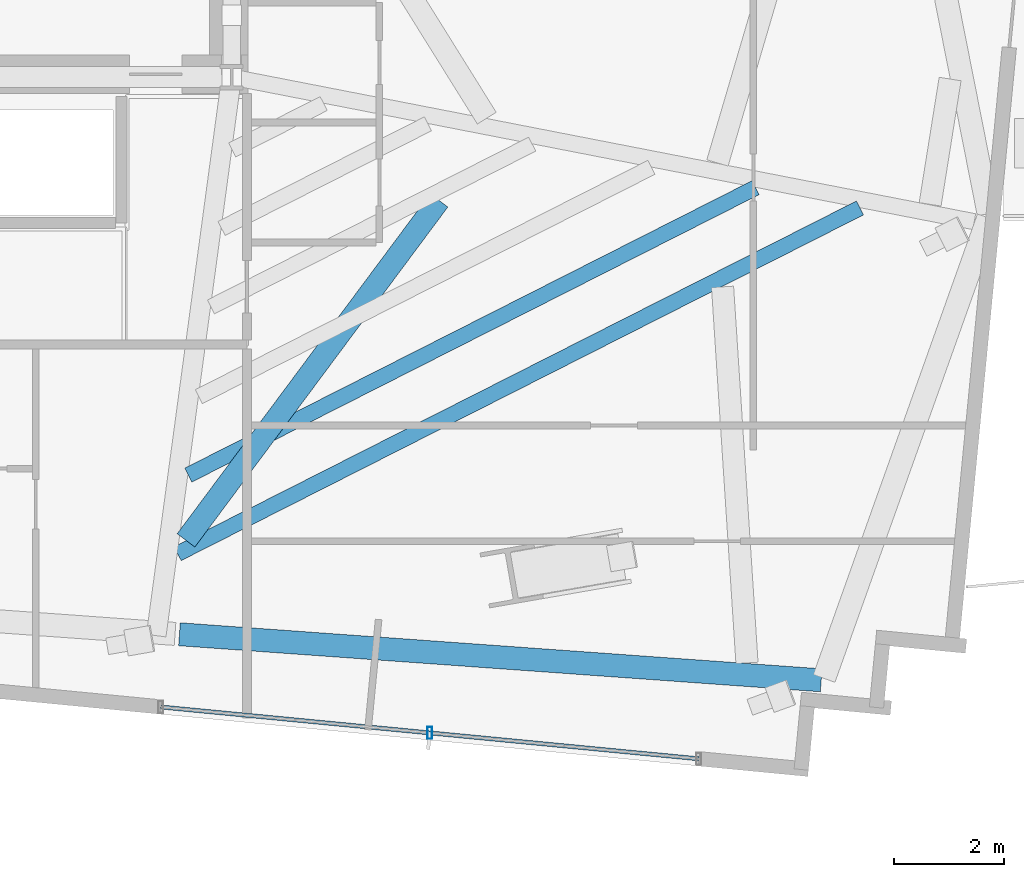
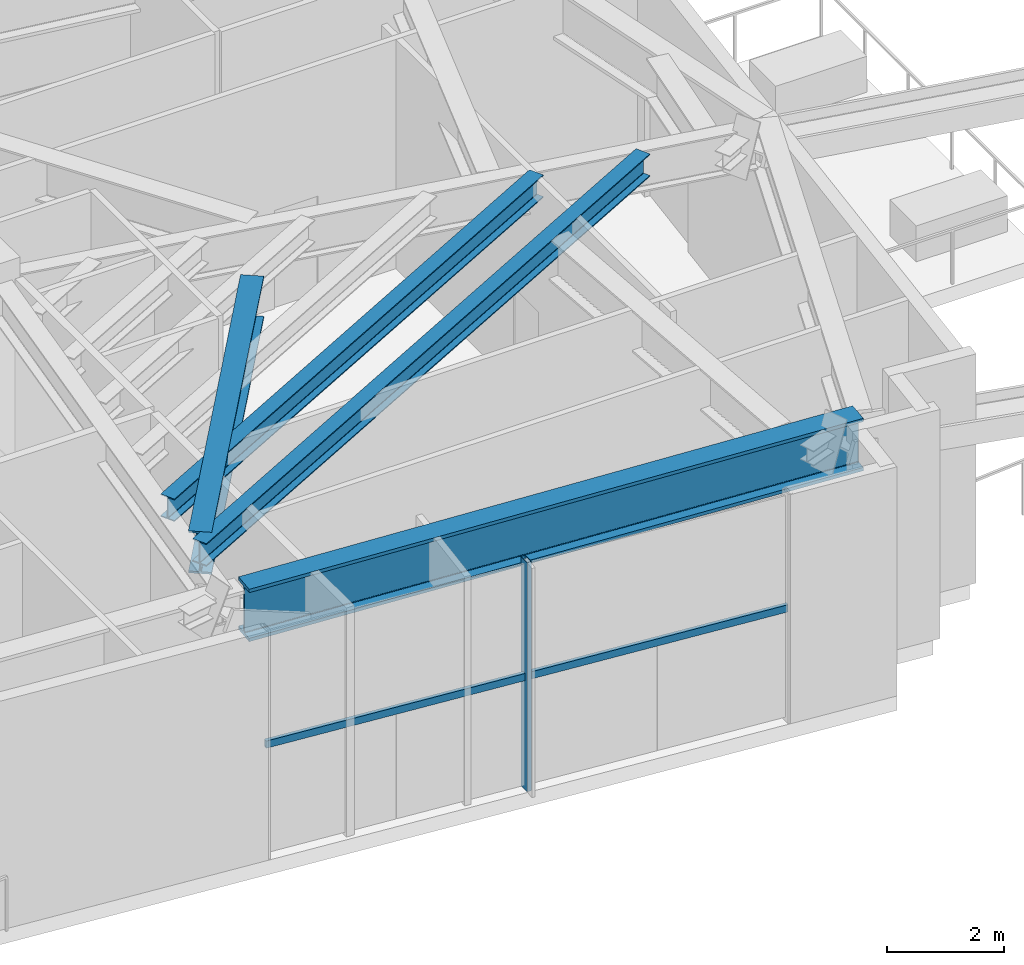
# One storey, part 10 of 23: 4 beams, 3 members, 1 element without a shape of its own.
"""IFC4 building model written with IfcOpenShell, lengths in metres."""

from ifc_helpers import new_model, si_unit, direction, frame, origin, origin_2d, place, context, subcontext, project, spatial, hollow_rectangle, i_section, extrude, source, transform, mapped, material, material_profile, profile_set, type_object, type_shapes, element, aggregate, save


model = new_model("IFC4")

# Units and contexts
model_context = context("Model", 3, precision=1e-05, world=origin(), true_north=direction((0.0, 1.0)))
body_context = subcontext(model_context, "Body", "Model", "MODEL_VIEW")
ifc_project = project(units=[si_unit("LENGTHUNIT", "METRE"), si_unit("AREAUNIT", "SQUARE_METRE"), si_unit("VOLUMEUNIT", "CUBIC_METRE"), si_unit("PLANEANGLEUNIT", "RADIAN"), si_unit("MASSUNIT", "GRAM", prefix="KILO")], contexts=[model_context])

# Site, building, storey
site_placement = place(None, origin())
site = spatial("IfcSite", under=ifc_project, at=site_placement, CompositionType="ELEMENT")
building_placement = place(site_placement, origin())
building = spatial("IfcBuilding", under=site, at=building_placement, Name="Astriad Promenade Condominiums", CompositionType="ELEMENT")
storey_placement = place(building_placement, frame((0.0, 0.0, 119.39990234375)))
storey = spatial("IfcBuildingStorey", under=building, at=storey_placement, Name="L34", CompositionType="ELEMENT", Elevation=119.39990234375)

# Beams
ifc_material_1 = material(Name="Steel ASTM A992 Grade 50", Category="steel")
ifc_material_profile_1 = material_profile(ifc_material_1, i_section(OverallWidth=0.4169921875, OverallDepth=1.093505859375, WebThickness=0.0390625, FlangeThickness=0.070068359375, FilletRadius=0.025390625, at=origin_2d()), Name="W40X503")
ifc_profile_set_1 = profile_set([ifc_material_profile_1], Name="Steel ASTM A992 Grade 50")
beam_type_1 = type_object("IfcBeamType", Name="STEEL TRANSFER GIRDER W40X503", PredefinedType="BEAM", material=ifc_profile_set_1)
shared_shape_1 = source(origin(), body_context, "Body", "SweptSolid", [
    extrude(i_section(OverallWidth=0.4169921875, OverallDepth=1.093505859375, WebThickness=0.0390625, FlangeThickness=0.070068359375, FilletRadius=0.025390625, at=origin_2d()), origin(), (0.0, 0.0, 1.0), 11.66748046875),
])
type_shapes(beam_type_1, [shared_shape_1])
beam_1_placement = place(storey_placement, frame((44.654296875, 7.2958984375, 4.2333984375), z_axis=(0.997434531101, -0.071584608448, 0.0), x_axis=(0.071584608448, 0.997434531101, 0.0)))
element("IfcBeam", 1, at=beam_1_placement, inside=storey, type_object=beam_type_1, Name="Perimeter Spandrel Beam SP-S4-L34", PredefinedType="BEAM", context=body_context, shape_type="MappedRepresentation", body=[
    mapped(shared_shape_1, transform((0.0, 0.0, 0.0), scale=1.0)),
])
ifc_material_profile_2 = material_profile(ifc_material_1, i_section(OverallWidth=0.283203125, OverallDepth=0.47216796875, WebThickness=0.013671875, FlangeThickness=0.022216796875, FilletRadius=0.01513671875, at=origin_2d()), Name="W18X97")
ifc_profile_set_2 = profile_set([ifc_material_profile_2], Name="Steel ASTM A992 Grade 50")
beam_type_2 = type_object("IfcBeamType", Name="STEEL FLOOR JOIST W18X97", PredefinedType="JOIST", material=ifc_profile_set_2)
shared_shape_2 = source(origin(), body_context, "Body", "SweptSolid", [
    extrude(i_section(OverallWidth=0.283203125, OverallDepth=0.47216796875, WebThickness=0.013671875, FlangeThickness=0.022216796875, FilletRadius=0.01513671875, at=origin_2d()), origin(), (0.0, 0.0, 1.0), 13.869140625),
])
beam_2_placement = place(storey_placement, frame((44.6220703125, 8.757568359375, 4.5439453125), z_axis=(0.892038141694, 0.451960124085, 0.0), x_axis=(-0.451960124085, 0.892038141694, 0.0)))
element("IfcBeam", 2, at=beam_2_placement, inside=storey, type_object=beam_type_2, Name="Secondary Composite Floor Joist JE1-1-L34", PredefinedType="JOIST", context=body_context, shape_type="MappedRepresentation", body=[
    mapped(shared_shape_2, transform((0.0, 0.0, 0.0), scale=1.0)),
])
shared_shape_3 = source(origin(), body_context, "Body", "SweptSolid", [
    extrude(i_section(OverallWidth=0.283203125, OverallDepth=0.47216796875, WebThickness=0.013671875, FlangeThickness=0.022216796875, FilletRadius=0.01513671875, at=origin_2d()), origin(), (0.0, 0.0, 1.0), 11.5341796875),
])
type_shapes(beam_type_2, [shared_shape_2, shared_shape_3])
beam_3_placement = place(storey_placement, frame((44.814208984375, 10.18115234375, 4.5439453125), z_axis=(0.89203111085, 0.451974000664, 0.0), x_axis=(-0.451974000664, 0.89203111085, 0.0)))
element("IfcBeam", 3, at=beam_3_placement, inside=storey, type_object=beam_type_2, Name="Secondary Composite Floor Joist JE1-2-L34", PredefinedType="JOIST", context=body_context, shape_type="MappedRepresentation", body=[
    mapped(shared_shape_3, transform((0.0, 0.0, 0.0), scale=1.0)),
])
ifc_material_profile_3 = material_profile(ifc_material_1, i_section(OverallWidth=0.4013671875, OverallDepth=0.877197265625, WebThickness=0.022216796875, FlangeThickness=0.039794921875, FilletRadius=0.02294921875, at=origin_2d()), Name="W33X263")
ifc_profile_set_3 = profile_set([ifc_material_profile_3], Name="Steel ASTM A992 Grade 50")
beam_type_3 = type_object("IfcBeamType", Name="STEEL TRANSFER CARRIER GIRDER W33X263", PredefinedType="BEAM", material=ifc_profile_set_3)
shared_shape_4 = source(origin(), body_context, "Body", "SweptSolid", [
    extrude(i_section(OverallWidth=0.4013671875, OverallDepth=0.877197265625, WebThickness=0.022216796875, FlangeThickness=0.039794921875, FilletRadius=0.02294921875, at=origin_2d()), origin(), (0.0, 0.0, 1.0), 7.6845703125),
])
type_shapes(beam_type_3, [shared_shape_4])
beam_4_placement = place(storey_placement, frame((49.361083984375, 15.1630859375, 4.341552734375), z_axis=(-0.596966070861, -0.802266483309, 0.0), x_axis=(0.802266483309, -0.596966070861, 0.0)))
element("IfcBeam", 4, at=beam_4_placement, inside=storey, type_object=beam_type_3, Name="Transfer Splice Carrier TRM-SP-PC04-L34", PredefinedType="BEAM", context=body_context, shape_type="MappedRepresentation", body=[
    mapped(shared_shape_4, transform((0.0, 0.0, 0.0), scale=1.0)),
])

# Curtain wall, members
ifc_material_2 = material(Name="Anodised aluminium Black Dark Glass Unitised", Category="aluminium")
curtain_wall_type = type_object("IfcCurtainWallType", Name="CW-B34-DARK", PredefinedType="USERDEFINED", material=ifc_material_2)
curtain_wall_placement = place(storey_placement, origin())
curtain_wall = element("IfcCurtainWall", 5, at=curtain_wall_placement, inside=storey, type_object=curtain_wall_type, Name="CW-L34-S-1", ObjectType="UNITISED_CURTAIN_WALL", PredefinedType="USERDEFINED")
ifc_material_3 = material(Name="Anodised aluminium 6063-T6 Black", Category="aluminium")
ifc_material_profile_4 = material_profile(ifc_material_3, hollow_rectangle(XDim=0.074951171875, YDim=0.14990234375, WallThickness=0.004150390625, at=origin_2d()), Name="ALU-TRN-75X150")
ifc_profile_set_4 = profile_set([ifc_material_profile_4], Name="Anodised aluminium 6063-T6 Black")
member_type_1 = type_object("IfcMemberType", Name="TRN-ALU-TRN-75X150", PredefinedType="USERDEFINED", material=ifc_profile_set_4)
shared_shape_5 = source(origin(), body_context, "Body", "SweptSolid", [
    extrude(hollow_rectangle(XDim=0.074951171875, YDim=0.14990234375, WallThickness=0.004150390625, at=origin_2d()), origin(), (0.0, 0.0, 1.0), 4.89990234375),
])
type_shapes(member_type_1, [shared_shape_5])
member_1_placement = place(storey_placement, frame((54.070556640625, 5.037109375, 2.35009765625), z_axis=(-0.995394594425, 0.095862408633, 0.0), x_axis=(-0.095862408633, -0.995394594425, 0.0)))
member_1 = element("IfcMember", 6, at=member_1_placement, type_object=member_type_1, Name="CW-L34-S-1-TRN-00-0", ObjectType="TRANSOM", PredefinedType="USERDEFINED", context=body_context, shape_type="MappedRepresentation", body=[
    mapped(shared_shape_5, transform((0.0, 0.0, 0.0), scale=1.0)),
])
member_2_placement = place(storey_placement, frame((49.193115234375, 5.5068359375, 2.35009765625), z_axis=(-0.995394594425, 0.095862408633, 0.0), x_axis=(-0.095862408633, -0.995394594425, 0.0)))
member_2 = element("IfcMember", 7, at=member_2_placement, type_object=member_type_1, Name="CW-L34-S-1-TRN-01-0", ObjectType="TRANSOM", PredefinedType="USERDEFINED", context=body_context, shape_type="MappedRepresentation", body=[
    mapped(shared_shape_5, transform((0.0, 0.0, 0.0), scale=1.0)),
])
ifc_material_profile_5 = material_profile(ifc_material_3, hollow_rectangle(XDim=0.0849609375, YDim=0.219970703125, WallThickness=0.0048828125, at=origin_2d()), Name="ALU-MUL-85X220")
ifc_profile_set_5 = profile_set([ifc_material_profile_5], Name="Anodised aluminium 6063-T6 Black")
member_type_2 = type_object("IfcMemberType", Name="MUL-ALU-MUL-85X220", PredefinedType="MULLION", material=ifc_profile_set_5)
shared_shape_6 = source(origin(), body_context, "Body", "SweptSolid", [
    extrude(hollow_rectangle(XDim=0.0849609375, YDim=0.219970703125, WallThickness=0.0048828125, at=origin_2d()), origin(), (0.0, 0.0, 1.0), 4.780029296875),
])
type_shapes(member_type_2, [shared_shape_6])
member_3_placement = place(storey_placement, frame((49.193115234375, 5.5068359375, 0.0), z_axis=(0.0, 0.0, 1.0), x_axis=(1.0, 0.0, 0.0)))
member_3 = element("IfcMember", 8, at=member_3_placement, type_object=member_type_2, Name="CW-L34-S-1-MUL-01", PredefinedType="MULLION", context=body_context, shape_type="MappedRepresentation", body=[
    mapped(shared_shape_6, transform((0.0, 0.0, 0.0), scale=1.0)),
])
aggregate(curtain_wall, [member_3, member_1, member_2])

save(model, "model.ifc")
